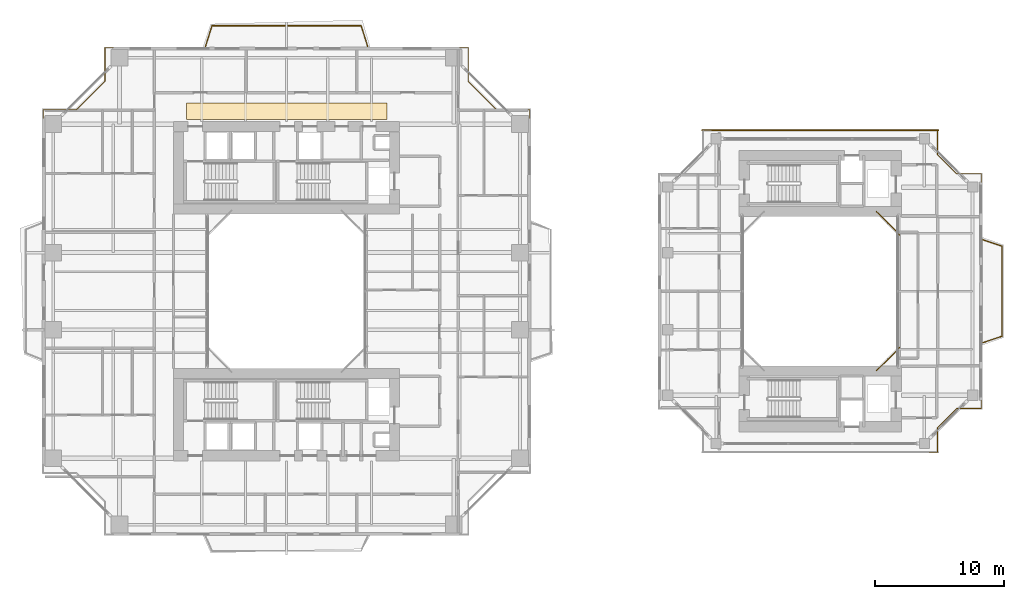
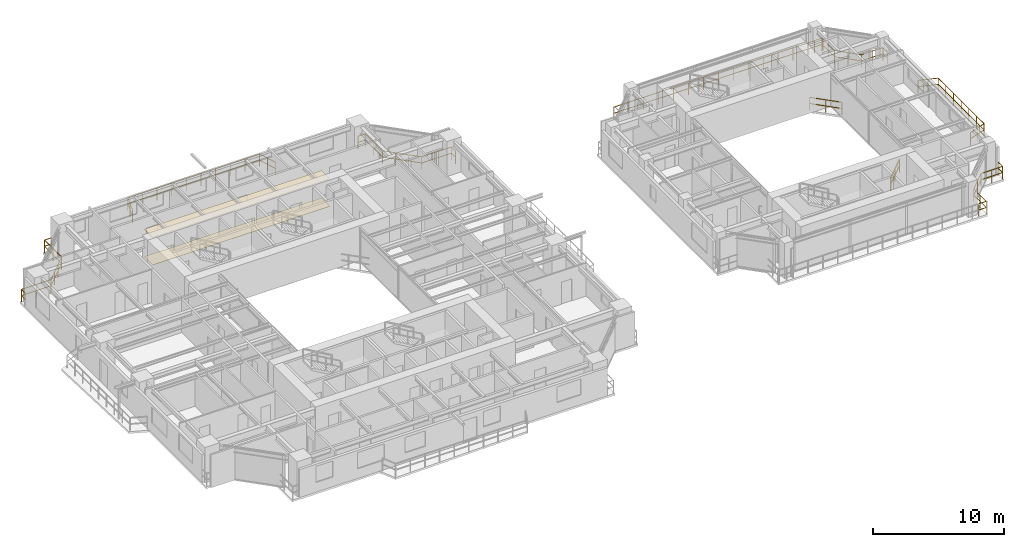
# One storey, part 23 of 23: 9 railings, 2 coverings.
"""IFC4 building model written with IfcOpenShell, lengths in metres."""

from ifc_helpers import new_model, si_unit, direction, frame, origin, origin_2d, place, context, subcontext, project, spatial, polyline, rectangle, outline, extrude, material, layer, layer_set, type_object, element, save


model = new_model("IFC4")

# Units and contexts
model_context = context("Model", 3, precision=1e-05, world=origin(), true_north=direction((0.0, 1.0)))
body_context = subcontext(model_context, "Body", "Model", "MODEL_VIEW")
ifc_project = project(units=[si_unit("LENGTHUNIT", "METRE"), si_unit("AREAUNIT", "SQUARE_METRE"), si_unit("VOLUMEUNIT", "CUBIC_METRE"), si_unit("PLANEANGLEUNIT", "RADIAN"), si_unit("MASSUNIT", "GRAM", prefix="KILO"), si_unit("THERMODYNAMICTEMPERATUREUNIT", "KELVIN"), si_unit("POWERUNIT", "WATT")], contexts=[model_context])

# Site, building, storey
site_placement = place(None, origin())
site = spatial("IfcSite", under=ifc_project, at=site_placement, CompositionType="ELEMENT")
building_placement = place(site_placement, origin())
building = spatial("IfcBuilding", under=site, at=building_placement, Name="Qiaomeng Ring Towers", CompositionType="ELEMENT")
storey_placement = place(building_placement, frame((0.0, 0.0, 86.0)))
storey = spatial("IfcBuildingStorey", under=building, at=storey_placement, Name="L24", CompositionType="ELEMENT", Elevation=86.0)

# Coverings
ifc_material_1 = material(Name="Mineral fibre acoustic ceiling tile", Category="gypsum")
ifc_layer_1 = layer(ifc_material_1, 0.02490234375, Name="Mineral fibre acoustic ceiling tile")
ifc_layer_set_1 = layer_set([ifc_layer_1], Name="Mineral fibre acoustic ceiling tile")
covering_type_1 = type_object("IfcCoveringType", Name="ARC-COV-CEIL1", PredefinedType="CEILING", material=ifc_layer_set_1)
covering_1_placement = place(storey_placement, frame((0.0, 0.0, 2.550048828125)))
element("IfcCovering", 1, at=covering_1_placement, inside=storey, type_object=covering_type_1, Name="L24 Corridor Acoustic Ceiling", PredefinedType="CEILING", context=body_context, shape_type="SweptSolid", body=[
    extrude(outline(polyline([(11.199951171875, 36.35009765625), (11.199951171875, 37.64990234375), (26.800048828125, 37.64990234375), (26.800048828125, 36.35009765625), (11.199951171875, 36.35009765625)])), origin(), (0.0, 0.0, 1.0), 0.02490234375),
])
ifc_material_2 = material(Name="Vitrified porcelain floor tile", Category="ceramic")
ifc_layer_2 = layer(ifc_material_2, 0.02001953125, Name="Vitrified porcelain floor tile")
ifc_layer_set_2 = layer_set([ifc_layer_2], Name="Vitrified porcelain floor tile")
covering_type_2 = type_object("IfcCoveringType", Name="ARC-COV-FLR1", PredefinedType="FLOORING", material=ifc_layer_set_2)
covering_2_placement = place(storey_placement, origin())
element("IfcCovering", 2, at=covering_2_placement, inside=storey, type_object=covering_type_2, Name="L24 Corridor Stone Flooring", PredefinedType="FLOORING", context=body_context, shape_type="SweptSolid", body=[
    extrude(outline(polyline([(11.199951171875, 36.35009765625), (11.199951171875, 37.64990234375), (26.800048828125, 37.64990234375), (26.800048828125, 36.35009765625), (11.199951171875, 36.35009765625)])), origin(), (0.0, 0.0, 1.0), 0.02001953125),
])

# Railings
ifc_material_3 = material(Name="Low-E pale-green laminated safety glass", Category="glass")
railing_type = type_object("IfcRailingType", Name="ARC-RL-BAL1", PredefinedType="BALUSTRADE", material=ifc_material_3)
railing_1_placement = place(storey_placement, frame((37.919921875, 36.469970703125, 0.0)))
element("IfcRailing", 3, at=railing_1_placement, inside=storey, type_object=railing_type, Name="L24 Balustrade ARC-BAL-NOTCH1-L24-NE", PredefinedType="BALUSTRADE", context=body_context, shape_type="SweptSolid", body=[
    extrude(rectangle(XDim=0.048095703125, YDim=0.048095703125, at=origin_2d()), frame((0.0, 0.0, 1.17578125), z_axis=(0.0, 1.0, 0.0), x_axis=(-1.0, 0.0, 0.0)), (0.0, 0.0, 1.0), 0.650146484375),
    extrude(rectangle(XDim=0.048095703125, YDim=0.048095703125, at=origin_2d()), frame((0.0, 0.0, 0.60009765625), z_axis=(0.0, 1.0, 0.0), x_axis=(-1.0, 0.0, 0.0)), (0.0, 0.0, 1.0), 0.650146484375),
    extrude(rectangle(XDim=0.048095703125, YDim=0.048095703125, at=origin_2d()), frame((0.0, 0.650146484375, 1.17578125), z_axis=(-1.0, 0.0, 0.0), x_axis=(0.0, -1.0, 0.0)), (0.0, 0.0, 1.0), 2.599853515625),
    extrude(rectangle(XDim=0.048095703125, YDim=0.048095703125, at=origin_2d()), frame((0.0, 0.650146484375, 0.60009765625), z_axis=(-1.0, 0.0, 0.0), x_axis=(0.0, -1.0, 0.0)), (0.0, 0.0, 1.0), 2.599853515625),
    extrude(rectangle(XDim=0.048095703125, YDim=0.048095703125, at=origin_2d()), frame((-2.599853515625, 0.650146484375, 1.17578125), z_axis=(-0.707106781187, 0.707106781187, 0.0), x_axis=(-0.707106781187, -0.707106781187, 0.0)), (0.0, 0.0, 1.0), 3.111083984375),
    extrude(rectangle(XDim=0.048095703125, YDim=0.048095703125, at=origin_2d()), frame((-2.599853515625, 0.650146484375, 0.60009765625), z_axis=(-0.707106781187, 0.707106781187, 0.0), x_axis=(-0.707106781187, -0.707106781187, 0.0)), (0.0, 0.0, 1.0), 3.111083984375),
    extrude(rectangle(XDim=0.048095703125, YDim=0.048095703125, at=origin_2d()), frame((-4.7998046875, 2.85009765625, 1.17578125), z_axis=(0.0, 1.0, 0.0), x_axis=(-1.0, 0.0, 0.0)), (0.0, 0.0, 1.0), 2.599853515625),
    extrude(rectangle(XDim=0.048095703125, YDim=0.048095703125, at=origin_2d()), frame((-4.7998046875, 2.85009765625, 0.60009765625), z_axis=(0.0, 1.0, 0.0), x_axis=(-1.0, 0.0, 0.0)), (0.0, 0.0, 1.0), 2.599853515625),
    extrude(rectangle(XDim=0.048095703125, YDim=0.048095703125, at=origin_2d()), frame((-4.7998046875, 5.449951171875, 1.17578125), z_axis=(-1.0, 0.0, 0.0), x_axis=(0.0, -1.0, 0.0)), (0.0, 0.0, 1.0), 0.650146484375),
    extrude(rectangle(XDim=0.048095703125, YDim=0.048095703125, at=origin_2d()), frame((-4.7998046875, 5.449951171875, 0.60009765625), z_axis=(-1.0, 0.0, 0.0), x_axis=(0.0, -1.0, 0.0)), (0.0, 0.0, 1.0), 0.650146484375),
    extrude(rectangle(XDim=0.0419921875, YDim=0.0419921875, at=origin_2d()), origin(), (0.0, 0.0, 1.0), 1.15185546875),
    extrude(rectangle(XDim=0.0419921875, YDim=0.0419921875, at=origin_2d()), frame((0.0, 0.650146484375, 0.0)), (0.0, 0.0, 1.0), 1.15185546875),
    extrude(rectangle(XDim=0.0419921875, YDim=0.0419921875, at=origin_2d()), frame((-1.2998046875, 0.650146484375, 0.0)), (0.0, 0.0, 1.0), 1.15185546875),
    extrude(rectangle(XDim=0.0419921875, YDim=0.0419921875, at=origin_2d()), frame((-2.599853515625, 0.650146484375, 0.0)), (0.0, 0.0, 1.0), 1.15185546875),
    extrude(rectangle(XDim=0.0419921875, YDim=0.0419921875, at=origin_2d()), frame((-3.333251953125, 1.383544921875, 0.0)), (0.0, 0.0, 1.0), 1.15185546875),
    extrude(rectangle(XDim=0.0419921875, YDim=0.0419921875, at=origin_2d()), frame((-4.06640625, 2.11669921875, 0.0)), (0.0, 0.0, 1.0), 1.15185546875),
    extrude(rectangle(XDim=0.0419921875, YDim=0.0419921875, at=origin_2d()), frame((-4.7998046875, 2.85009765625, 0.0)), (0.0, 0.0, 1.0), 1.15185546875),
    extrude(rectangle(XDim=0.0419921875, YDim=0.0419921875, at=origin_2d()), frame((-4.7998046875, 4.14990234375, 0.0)), (0.0, 0.0, 1.0), 1.15185546875),
    extrude(rectangle(XDim=0.0419921875, YDim=0.0419921875, at=origin_2d()), frame((-4.7998046875, 5.449951171875, 0.0)), (0.0, 0.0, 1.0), 1.15185546875),
    extrude(rectangle(XDim=0.0419921875, YDim=0.0419921875, at=origin_2d()), frame((-5.449951171875, 5.449951171875, 0.0)), (0.0, 0.0, 1.0), 1.15185546875),
])
railing_2_placement = place(storey_placement, frame((5.530029296875, 41.919921875, 0.0)))
element("IfcRailing", 4, at=railing_2_placement, inside=storey, type_object=railing_type, Name="L24 Balustrade ARC-BAL-NOTCH1-L24-NW", PredefinedType="BALUSTRADE", context=body_context, shape_type="SweptSolid", body=[
    extrude(rectangle(XDim=0.048095703125, YDim=0.048095703125, at=origin_2d()), frame((0.0, 0.0, 1.17578125), z_axis=(-1.0, 0.0, 0.0), x_axis=(0.0, -1.0, 0.0)), (0.0, 0.0, 1.0), 0.650146484375),
    extrude(rectangle(XDim=0.048095703125, YDim=0.048095703125, at=origin_2d()), frame((0.0, 0.0, 0.60009765625), z_axis=(-1.0, 0.0, 0.0), x_axis=(0.0, -1.0, 0.0)), (0.0, 0.0, 1.0), 0.650146484375),
    extrude(rectangle(XDim=0.048095703125, YDim=0.048095703125, at=origin_2d()), frame((-0.650146484375, 0.0, 1.17578125), z_axis=(0.0, -1.0, 0.0), x_axis=(1.0, 0.0, 0.0)), (0.0, 0.0, 1.0), 2.599853515625),
    extrude(rectangle(XDim=0.048095703125, YDim=0.048095703125, at=origin_2d()), frame((-0.650146484375, 0.0, 0.60009765625), z_axis=(0.0, -1.0, 0.0), x_axis=(1.0, 0.0, 0.0)), (0.0, 0.0, 1.0), 2.599853515625),
    extrude(rectangle(XDim=0.048095703125, YDim=0.048095703125, at=origin_2d()), frame((-0.650146484375, -2.599853515625, 1.17578125), z_axis=(-0.707106781187, -0.707106781187, 0.0), x_axis=(0.707106781187, -0.707106781187, 0.0)), (0.0, 0.0, 1.0), 3.111083984375),
    extrude(rectangle(XDim=0.048095703125, YDim=0.048095703125, at=origin_2d()), frame((-0.650146484375, -2.599853515625, 0.60009765625), z_axis=(-0.707106781187, -0.707106781187, 0.0), x_axis=(0.707106781187, -0.707106781187, 0.0)), (0.0, 0.0, 1.0), 3.111083984375),
    extrude(rectangle(XDim=0.048095703125, YDim=0.048095703125, at=origin_2d()), frame((-2.85009765625, -4.7998046875, 1.17578125), z_axis=(-1.0, 0.0, 0.0), x_axis=(0.0, -1.0, 0.0)), (0.0, 0.0, 1.0), 2.599853515625),
    extrude(rectangle(XDim=0.048095703125, YDim=0.048095703125, at=origin_2d()), frame((-2.85009765625, -4.7998046875, 0.60009765625), z_axis=(-1.0, 0.0, 0.0), x_axis=(0.0, -1.0, 0.0)), (0.0, 0.0, 1.0), 2.599853515625),
    extrude(rectangle(XDim=0.048095703125, YDim=0.048095703125, at=origin_2d()), frame((-5.449951171875, -4.7998046875, 1.17578125), z_axis=(0.0, -1.0, 0.0), x_axis=(1.0, 0.0, 0.0)), (0.0, 0.0, 1.0), 0.650146484375),
    extrude(rectangle(XDim=0.048095703125, YDim=0.048095703125, at=origin_2d()), frame((-5.449951171875, -4.7998046875, 0.60009765625), z_axis=(0.0, -1.0, 0.0), x_axis=(1.0, 0.0, 0.0)), (0.0, 0.0, 1.0), 0.650146484375),
    extrude(rectangle(XDim=0.0419921875, YDim=0.0419921875, at=origin_2d()), origin(), (0.0, 0.0, 1.0), 1.15185546875),
    extrude(rectangle(XDim=0.0419921875, YDim=0.0419921875, at=origin_2d()), frame((-0.650146484375, 0.0, 0.0)), (0.0, 0.0, 1.0), 1.15185546875),
    extrude(rectangle(XDim=0.0419921875, YDim=0.0419921875, at=origin_2d()), frame((-0.650146484375, -1.2998046875, 0.0)), (0.0, 0.0, 1.0), 1.15185546875),
    extrude(rectangle(XDim=0.0419921875, YDim=0.0419921875, at=origin_2d()), frame((-0.650146484375, -2.599853515625, 0.0)), (0.0, 0.0, 1.0), 1.15185546875),
    extrude(rectangle(XDim=0.0419921875, YDim=0.0419921875, at=origin_2d()), frame((-1.383544921875, -3.333251953125, 0.0)), (0.0, 0.0, 1.0), 1.15185546875),
    extrude(rectangle(XDim=0.0419921875, YDim=0.0419921875, at=origin_2d()), frame((-2.11669921875, -4.06640625, 0.0)), (0.0, 0.0, 1.0), 1.15185546875),
    extrude(rectangle(XDim=0.0419921875, YDim=0.0419921875, at=origin_2d()), frame((-2.85009765625, -4.7998046875, 0.0)), (0.0, 0.0, 1.0), 1.15185546875),
    extrude(rectangle(XDim=0.0419921875, YDim=0.0419921875, at=origin_2d()), frame((-4.14990234375, -4.7998046875, 0.0)), (0.0, 0.0, 1.0), 1.15185546875),
    extrude(rectangle(XDim=0.0419921875, YDim=0.0419921875, at=origin_2d()), frame((-5.449951171875, -4.7998046875, 0.0)), (0.0, 0.0, 1.0), 1.15185546875),
    extrude(rectangle(XDim=0.0419921875, YDim=0.0419921875, at=origin_2d()), frame((-5.449951171875, -5.449951171875, 0.0)), (0.0, 0.0, 1.0), 1.15185546875),
])
railing_3_placement = place(storey_placement, frame((12.699951171875, 42.050048828125, 0.0)))
element("IfcRailing", 5, at=railing_3_placement, inside=storey, type_object=railing_type, Name="L24 Balustrade ARC-BAL-L24-T1-N", PredefinedType="BALUSTRADE", context=body_context, shape_type="SweptSolid", body=[
    extrude(rectangle(XDim=0.048095703125, YDim=0.048095703125, at=origin_2d()), frame((0.0, 0.0, 1.17578125), z_axis=(0.300009430376, 0.95393623565, 0.0), x_axis=(-0.95393623565, 0.300009430376, 0.0)), (0.0, 0.0, 1.0), 1.66650390625),
    extrude(rectangle(XDim=0.048095703125, YDim=0.048095703125, at=origin_2d()), frame((0.0, 0.0, 0.60009765625), z_axis=(0.300009430376, 0.95393623565, 0.0), x_axis=(-0.95393623565, 0.300009430376, 0.0)), (0.0, 0.0, 1.0), 1.66650390625),
    extrude(rectangle(XDim=0.048095703125, YDim=0.048095703125, at=origin_2d()), frame((0.5, 1.58984375, 1.17578125), z_axis=(1.0, 0.0, 0.0), x_axis=(0.0, 1.0, 0.0)), (0.0, 0.0, 1.0), 11.60009765625),
    extrude(rectangle(XDim=0.048095703125, YDim=0.048095703125, at=origin_2d()), frame((0.5, 1.58984375, 0.60009765625), z_axis=(1.0, 0.0, 0.0), x_axis=(0.0, 1.0, 0.0)), (0.0, 0.0, 1.0), 11.60009765625),
    extrude(rectangle(XDim=0.048095703125, YDim=0.048095703125, at=origin_2d()), frame((12.10009765625, 1.58984375, 1.17578125), z_axis=(0.300009430376, -0.95393623565, 0.0), x_axis=(0.95393623565, 0.300009430376, 0.0)), (0.0, 0.0, 1.0), 1.66650390625),
    extrude(rectangle(XDim=0.048095703125, YDim=0.048095703125, at=origin_2d()), frame((12.10009765625, 1.58984375, 0.60009765625), z_axis=(0.300009430376, -0.95393623565, 0.0), x_axis=(0.95393623565, 0.300009430376, 0.0)), (0.0, 0.0, 1.0), 1.66650390625),
    extrude(rectangle(XDim=0.0419921875, YDim=0.0419921875, at=origin_2d()), origin(), (0.0, 0.0, 1.0), 1.15185546875),
    extrude(rectangle(XDim=0.0419921875, YDim=0.0419921875, at=origin_2d()), frame((0.25, 0.794921875, 0.0)), (0.0, 0.0, 1.0), 1.15185546875),
    extrude(rectangle(XDim=0.0419921875, YDim=0.0419921875, at=origin_2d()), frame((0.5, 1.58984375, 0.0)), (0.0, 0.0, 1.0), 1.15185546875),
    extrude(rectangle(XDim=0.0419921875, YDim=0.0419921875, at=origin_2d()), frame((1.788818359375, 1.58984375, 0.0)), (0.0, 0.0, 1.0), 1.15185546875),
    extrude(rectangle(XDim=0.0419921875, YDim=0.0419921875, at=origin_2d()), frame((3.077880859375, 1.58984375, 0.0)), (0.0, 0.0, 1.0), 1.15185546875),
    extrude(rectangle(XDim=0.0419921875, YDim=0.0419921875, at=origin_2d()), frame((4.36669921875, 1.58984375, 0.0)), (0.0, 0.0, 1.0), 1.15185546875),
    extrude(rectangle(XDim=0.0419921875, YDim=0.0419921875, at=origin_2d()), frame((5.655517578125, 1.58984375, 0.0)), (0.0, 0.0, 1.0), 1.15185546875),
    extrude(rectangle(XDim=0.0419921875, YDim=0.0419921875, at=origin_2d()), frame((6.944580078125, 1.58984375, 0.0)), (0.0, 0.0, 1.0), 1.15185546875),
    extrude(rectangle(XDim=0.0419921875, YDim=0.0419921875, at=origin_2d()), frame((8.2333984375, 1.58984375, 0.0)), (0.0, 0.0, 1.0), 1.15185546875),
    extrude(rectangle(XDim=0.0419921875, YDim=0.0419921875, at=origin_2d()), frame((9.522216796875, 1.58984375, 0.0)), (0.0, 0.0, 1.0), 1.15185546875),
    extrude(rectangle(XDim=0.0419921875, YDim=0.0419921875, at=origin_2d()), frame((10.811279296875, 1.58984375, 0.0)), (0.0, 0.0, 1.0), 1.15185546875),
    extrude(rectangle(XDim=0.0419921875, YDim=0.0419921875, at=origin_2d()), frame((12.10009765625, 1.58984375, 0.0)), (0.0, 0.0, 1.0), 1.15185546875),
    extrude(rectangle(XDim=0.0419921875, YDim=0.0419921875, at=origin_2d()), frame((12.35009765625, 0.794921875, 0.0)), (0.0, 0.0, 1.0), 1.15185546875),
    extrude(rectangle(XDim=0.0419921875, YDim=0.0419921875, at=origin_2d()), frame((12.60009765625, 0.0, 0.0)), (0.0, 0.0, 1.0), 1.15185546875),
])
railing_4_placement = place(storey_placement, frame((64.8798828125, 16.820068359375, 0.0)))
element("IfcRailing", 6, at=railing_4_placement, inside=storey, type_object=railing_type, Name="L24 Balustrade ARC-BAL-WELL2-L24-1", PredefinedType="BALUSTRADE", context=body_context, shape_type="SweptSolid", body=[
    extrude(rectangle(XDim=0.048095703125, YDim=0.048095703125, at=origin_2d()), frame((0.0, 0.0, 1.17578125), z_axis=(0.707106781187, 0.707106781187, 0.0), x_axis=(-0.707106781187, 0.707106781187, 0.0)), (0.0, 0.0, 1.0), 2.545654296875),
    extrude(rectangle(XDim=0.048095703125, YDim=0.048095703125, at=origin_2d()), frame((0.0, 0.0, 0.60009765625), z_axis=(0.707106781187, 0.707106781187, 0.0), x_axis=(-0.707106781187, 0.707106781187, 0.0)), (0.0, 0.0, 1.0), 2.545654296875),
    extrude(rectangle(XDim=0.0419921875, YDim=0.0419921875, at=origin_2d()), origin(), (0.0, 0.0, 1.0), 1.15185546875),
    extrude(rectangle(XDim=0.0419921875, YDim=0.0419921875, at=origin_2d()), frame((0.89990234375, 0.89990234375, 0.0)), (0.0, 0.0, 1.0), 1.15185546875),
    extrude(rectangle(XDim=0.0419921875, YDim=0.0419921875, at=origin_2d()), frame((1.800048828125, 1.800048828125, 0.0)), (0.0, 0.0, 1.0), 1.15185546875),
])
railing_5_placement = place(storey_placement, frame((66.679931640625, 27.3798828125, 0.0)))
element("IfcRailing", 7, at=railing_5_placement, inside=storey, type_object=railing_type, Name="L24 Balustrade ARC-BAL-WELL2-L24-2", PredefinedType="BALUSTRADE", context=body_context, shape_type="SweptSolid", body=[
    extrude(rectangle(XDim=0.048095703125, YDim=0.048095703125, at=origin_2d()), frame((0.0, 0.0, 1.17578125), z_axis=(-0.707106781187, 0.707106781187, 0.0), x_axis=(-0.707106781187, -0.707106781187, 0.0)), (0.0, 0.0, 1.0), 2.545654296875),
    extrude(rectangle(XDim=0.048095703125, YDim=0.048095703125, at=origin_2d()), frame((0.0, 0.0, 0.60009765625), z_axis=(-0.707106781187, 0.707106781187, 0.0), x_axis=(-0.707106781187, -0.707106781187, 0.0)), (0.0, 0.0, 1.0), 2.545654296875),
    extrude(rectangle(XDim=0.0419921875, YDim=0.0419921875, at=origin_2d()), origin(), (0.0, 0.0, 1.0), 1.15185546875),
    extrude(rectangle(XDim=0.0419921875, YDim=0.0419921875, at=origin_2d()), frame((-0.89990234375, 0.89990234375, 0.0)), (0.0, 0.0, 1.0), 1.15185546875),
    extrude(rectangle(XDim=0.0419921875, YDim=0.0419921875, at=origin_2d()), frame((-1.800048828125, 1.800048828125, 0.0)), (0.0, 0.0, 1.0), 1.15185546875),
])
railing_6_placement = place(storey_placement, frame((68.969970703125, 10.47998046875, 0.0)))
element("IfcRailing", 8, at=railing_6_placement, inside=storey, type_object=railing_type, Name="L24 Balustrade ARC-BAL-NOTCH2-L24-SE", PredefinedType="BALUSTRADE", context=body_context, shape_type="SweptSolid", body=[
    extrude(rectangle(XDim=0.048095703125, YDim=0.048095703125, at=origin_2d()), frame((0.0, 0.0, 1.17578125), z_axis=(1.0, 0.0, 0.0), x_axis=(0.0, 1.0, 0.0)), (0.0, 0.0, 1.0), 0.650146484375),
    extrude(rectangle(XDim=0.048095703125, YDim=0.048095703125, at=origin_2d()), frame((0.0, 0.0, 0.60009765625), z_axis=(1.0, 0.0, 0.0), x_axis=(0.0, 1.0, 0.0)), (0.0, 0.0, 1.0), 0.650146484375),
    extrude(rectangle(XDim=0.048095703125, YDim=0.048095703125, at=origin_2d()), frame((0.650146484375, 0.0, 1.17578125), z_axis=(0.0, 1.0, 0.0), x_axis=(-1.0, 0.0, 0.0)), (0.0, 0.0, 1.0), 1.89990234375),
    extrude(rectangle(XDim=0.048095703125, YDim=0.048095703125, at=origin_2d()), frame((0.650146484375, 0.0, 0.60009765625), z_axis=(0.0, 1.0, 0.0), x_axis=(-1.0, 0.0, 0.0)), (0.0, 0.0, 1.0), 1.89990234375),
    extrude(rectangle(XDim=0.048095703125, YDim=0.048095703125, at=origin_2d()), frame((0.650146484375, 1.89990234375, 1.17578125), z_axis=(0.707106781187, 0.707106781187, 0.0), x_axis=(-0.707106781187, 0.707106781187, 0.0)), (0.0, 0.0, 1.0), 2.121337890625),
    extrude(rectangle(XDim=0.048095703125, YDim=0.048095703125, at=origin_2d()), frame((0.650146484375, 1.89990234375, 0.60009765625), z_axis=(0.707106781187, 0.707106781187, 0.0), x_axis=(-0.707106781187, 0.707106781187, 0.0)), (0.0, 0.0, 1.0), 2.121337890625),
    extrude(rectangle(XDim=0.048095703125, YDim=0.048095703125, at=origin_2d()), frame((2.150146484375, 3.39990234375, 1.17578125), z_axis=(1.0, 0.0, 0.0), x_axis=(0.0, 1.0, 0.0)), (0.0, 0.0, 1.0), 1.89990234375),
    extrude(rectangle(XDim=0.048095703125, YDim=0.048095703125, at=origin_2d()), frame((2.150146484375, 3.39990234375, 0.60009765625), z_axis=(1.0, 0.0, 0.0), x_axis=(0.0, 1.0, 0.0)), (0.0, 0.0, 1.0), 1.89990234375),
    extrude(rectangle(XDim=0.048095703125, YDim=0.048095703125, at=origin_2d()), frame((4.050048828125, 3.39990234375, 1.17578125), z_axis=(0.0, 1.0, 0.0), x_axis=(-1.0, 0.0, 0.0)), (0.0, 0.0, 1.0), 0.650146484375),
    extrude(rectangle(XDim=0.048095703125, YDim=0.048095703125, at=origin_2d()), frame((4.050048828125, 3.39990234375, 0.60009765625), z_axis=(0.0, 1.0, 0.0), x_axis=(-1.0, 0.0, 0.0)), (0.0, 0.0, 1.0), 0.650146484375),
    extrude(rectangle(XDim=0.0419921875, YDim=0.0419921875, at=origin_2d()), origin(), (0.0, 0.0, 1.0), 1.15185546875),
    extrude(rectangle(XDim=0.0419921875, YDim=0.0419921875, at=origin_2d()), frame((0.650146484375, 0.0, 0.0)), (0.0, 0.0, 1.0), 1.15185546875),
    extrude(rectangle(XDim=0.0419921875, YDim=0.0419921875, at=origin_2d()), frame((0.650146484375, 0.949951171875, 0.0)), (0.0, 0.0, 1.0), 1.15185546875),
    extrude(rectangle(XDim=0.0419921875, YDim=0.0419921875, at=origin_2d()), frame((0.650146484375, 1.89990234375, 0.0)), (0.0, 0.0, 1.0), 1.15185546875),
    extrude(rectangle(XDim=0.0419921875, YDim=0.0419921875, at=origin_2d()), frame((1.400146484375, 2.64990234375, 0.0)), (0.0, 0.0, 1.0), 1.15185546875),
    extrude(rectangle(XDim=0.0419921875, YDim=0.0419921875, at=origin_2d()), frame((2.150146484375, 3.39990234375, 0.0)), (0.0, 0.0, 1.0), 1.15185546875),
    extrude(rectangle(XDim=0.0419921875, YDim=0.0419921875, at=origin_2d()), frame((3.10009765625, 3.39990234375, 0.0)), (0.0, 0.0, 1.0), 1.15185546875),
    extrude(rectangle(XDim=0.0419921875, YDim=0.0419921875, at=origin_2d()), frame((4.050048828125, 3.39990234375, 0.0)), (0.0, 0.0, 1.0), 1.15185546875),
    extrude(rectangle(XDim=0.0419921875, YDim=0.0419921875, at=origin_2d()), frame((4.050048828125, 4.050048828125, 0.0)), (0.0, 0.0, 1.0), 1.15185546875),
])
railing_7_placement = place(storey_placement, frame((73.02001953125, 31.469970703125, 0.0)))
element("IfcRailing", 9, at=railing_7_placement, inside=storey, type_object=railing_type, Name="L24 Balustrade ARC-BAL-NOTCH2-L24-NE", PredefinedType="BALUSTRADE", context=body_context, shape_type="SweptSolid", body=[
    extrude(rectangle(XDim=0.048095703125, YDim=0.048095703125, at=origin_2d()), frame((0.0, 0.0, 1.17578125), z_axis=(0.0, 1.0, 0.0), x_axis=(-1.0, 0.0, 0.0)), (0.0, 0.0, 1.0), 0.650146484375),
    extrude(rectangle(XDim=0.048095703125, YDim=0.048095703125, at=origin_2d()), frame((0.0, 0.0, 0.60009765625), z_axis=(0.0, 1.0, 0.0), x_axis=(-1.0, 0.0, 0.0)), (0.0, 0.0, 1.0), 0.650146484375),
    extrude(rectangle(XDim=0.048095703125, YDim=0.048095703125, at=origin_2d()), frame((0.0, 0.650146484375, 1.17578125), z_axis=(-1.0, 0.0, 0.0), x_axis=(0.0, -1.0, 0.0)), (0.0, 0.0, 1.0), 1.89990234375),
    extrude(rectangle(XDim=0.048095703125, YDim=0.048095703125, at=origin_2d()), frame((0.0, 0.650146484375, 0.60009765625), z_axis=(-1.0, 0.0, 0.0), x_axis=(0.0, -1.0, 0.0)), (0.0, 0.0, 1.0), 1.89990234375),
    extrude(rectangle(XDim=0.048095703125, YDim=0.048095703125, at=origin_2d()), frame((-1.89990234375, 0.650146484375, 1.17578125), z_axis=(-0.707106781187, 0.707106781187, 0.0), x_axis=(-0.707106781187, -0.707106781187, 0.0)), (0.0, 0.0, 1.0), 2.121337890625),
    extrude(rectangle(XDim=0.048095703125, YDim=0.048095703125, at=origin_2d()), frame((-1.89990234375, 0.650146484375, 0.60009765625), z_axis=(-0.707106781187, 0.707106781187, 0.0), x_axis=(-0.707106781187, -0.707106781187, 0.0)), (0.0, 0.0, 1.0), 2.121337890625),
    extrude(rectangle(XDim=0.048095703125, YDim=0.048095703125, at=origin_2d()), frame((-3.39990234375, 2.150146484375, 1.17578125), z_axis=(0.0, 1.0, 0.0), x_axis=(-1.0, 0.0, 0.0)), (0.0, 0.0, 1.0), 1.89990234375),
    extrude(rectangle(XDim=0.048095703125, YDim=0.048095703125, at=origin_2d()), frame((-3.39990234375, 2.150146484375, 0.60009765625), z_axis=(0.0, 1.0, 0.0), x_axis=(-1.0, 0.0, 0.0)), (0.0, 0.0, 1.0), 1.89990234375),
    extrude(rectangle(XDim=0.048095703125, YDim=0.048095703125, at=origin_2d()), frame((-3.39990234375, 4.050048828125, 1.17578125), z_axis=(-1.0, 0.0, 0.0), x_axis=(0.0, -1.0, 0.0)), (0.0, 0.0, 1.0), 0.650146484375),
    extrude(rectangle(XDim=0.048095703125, YDim=0.048095703125, at=origin_2d()), frame((-3.39990234375, 4.050048828125, 0.60009765625), z_axis=(-1.0, 0.0, 0.0), x_axis=(0.0, -1.0, 0.0)), (0.0, 0.0, 1.0), 0.650146484375),
    extrude(rectangle(XDim=0.0419921875, YDim=0.0419921875, at=origin_2d()), origin(), (0.0, 0.0, 1.0), 1.15185546875),
    extrude(rectangle(XDim=0.0419921875, YDim=0.0419921875, at=origin_2d()), frame((0.0, 0.650146484375, 0.0)), (0.0, 0.0, 1.0), 1.15185546875),
    extrude(rectangle(XDim=0.0419921875, YDim=0.0419921875, at=origin_2d()), frame((-0.949951171875, 0.650146484375, 0.0)), (0.0, 0.0, 1.0), 1.15185546875),
    extrude(rectangle(XDim=0.0419921875, YDim=0.0419921875, at=origin_2d()), frame((-1.89990234375, 0.650146484375, 0.0)), (0.0, 0.0, 1.0), 1.15185546875),
    extrude(rectangle(XDim=0.0419921875, YDim=0.0419921875, at=origin_2d()), frame((-2.64990234375, 1.400146484375, 0.0)), (0.0, 0.0, 1.0), 1.15185546875),
    extrude(rectangle(XDim=0.0419921875, YDim=0.0419921875, at=origin_2d()), frame((-3.39990234375, 2.150146484375, 0.0)), (0.0, 0.0, 1.0), 1.15185546875),
    extrude(rectangle(XDim=0.0419921875, YDim=0.0419921875, at=origin_2d()), frame((-3.39990234375, 3.10009765625, 0.0)), (0.0, 0.0, 1.0), 1.15185546875),
    extrude(rectangle(XDim=0.0419921875, YDim=0.0419921875, at=origin_2d()), frame((-3.39990234375, 4.050048828125, 0.0)), (0.0, 0.0, 1.0), 1.15185546875),
    extrude(rectangle(XDim=0.0419921875, YDim=0.0419921875, at=origin_2d()), frame((-4.050048828125, 4.050048828125, 0.0)), (0.0, 0.0, 1.0), 1.15185546875),
])
railing_8_placement = place(storey_placement, frame((51.300048828125, 35.52001953125, 0.0)))
element("IfcRailing", 10, at=railing_8_placement, inside=storey, type_object=railing_type, Name="L24 Balustrade ARC-BAL-T2N-L24", PredefinedType="BALUSTRADE", context=body_context, shape_type="SweptSolid", body=[
    extrude(rectangle(XDim=0.048095703125, YDim=0.048095703125, at=origin_2d()), frame((0.0, 0.0, 1.17578125), z_axis=(1.0, 0.0, 0.0), x_axis=(0.0, 1.0, 0.0)), (0.0, 0.0, 1.0), 18.39990234375),
    extrude(rectangle(XDim=0.048095703125, YDim=0.048095703125, at=origin_2d()), frame((0.0, 0.0, 0.60009765625), z_axis=(1.0, 0.0, 0.0), x_axis=(0.0, 1.0, 0.0)), (0.0, 0.0, 1.0), 18.39990234375),
    extrude(rectangle(XDim=0.0419921875, YDim=0.0419921875, at=origin_2d()), origin(), (0.0, 0.0, 1.0), 1.15185546875),
    extrude(rectangle(XDim=0.0419921875, YDim=0.0419921875, at=origin_2d()), frame((1.314208984375, 0.0, 0.0)), (0.0, 0.0, 1.0), 1.15185546875),
    extrude(rectangle(XDim=0.0419921875, YDim=0.0419921875, at=origin_2d()), frame((2.628662109375, 0.0, 0.0)), (0.0, 0.0, 1.0), 1.15185546875),
    extrude(rectangle(XDim=0.0419921875, YDim=0.0419921875, at=origin_2d()), frame((3.94287109375, 0.0, 0.0)), (0.0, 0.0, 1.0), 1.15185546875),
    extrude(rectangle(XDim=0.0419921875, YDim=0.0419921875, at=origin_2d()), frame((5.257080078125, 0.0, 0.0)), (0.0, 0.0, 1.0), 1.15185546875),
    extrude(rectangle(XDim=0.0419921875, YDim=0.0419921875, at=origin_2d()), frame((6.5712890625, 0.0, 0.0)), (0.0, 0.0, 1.0), 1.15185546875),
    extrude(rectangle(XDim=0.0419921875, YDim=0.0419921875, at=origin_2d()), frame((7.8857421875, 0.0, 0.0)), (0.0, 0.0, 1.0), 1.15185546875),
    extrude(rectangle(XDim=0.0419921875, YDim=0.0419921875, at=origin_2d()), frame((9.199951171875, 0.0, 0.0)), (0.0, 0.0, 1.0), 1.15185546875),
    extrude(rectangle(XDim=0.0419921875, YDim=0.0419921875, at=origin_2d()), frame((10.51416015625, 0.0, 0.0)), (0.0, 0.0, 1.0), 1.15185546875),
    extrude(rectangle(XDim=0.0419921875, YDim=0.0419921875, at=origin_2d()), frame((11.82861328125, 0.0, 0.0)), (0.0, 0.0, 1.0), 1.15185546875),
    extrude(rectangle(XDim=0.0419921875, YDim=0.0419921875, at=origin_2d()), frame((13.142822265625, 0.0, 0.0)), (0.0, 0.0, 1.0), 1.15185546875),
    extrude(rectangle(XDim=0.0419921875, YDim=0.0419921875, at=origin_2d()), frame((14.45703125, 0.0, 0.0)), (0.0, 0.0, 1.0), 1.15185546875),
    extrude(rectangle(XDim=0.0419921875, YDim=0.0419921875, at=origin_2d()), frame((15.771240234375, 0.0, 0.0)), (0.0, 0.0, 1.0), 1.15185546875),
    extrude(rectangle(XDim=0.0419921875, YDim=0.0419921875, at=origin_2d()), frame((17.085693359375, 0.0, 0.0)), (0.0, 0.0, 1.0), 1.15185546875),
    extrude(rectangle(XDim=0.0419921875, YDim=0.0419921875, at=origin_2d()), frame((18.39990234375, 0.0, 0.0)), (0.0, 0.0, 1.0), 1.15185546875),
])
railing_9_placement = place(storey_placement, frame((73.14990234375, 19.0, 0.0)))
element("IfcRailing", 11, at=railing_9_placement, inside=storey, type_object=railing_type, Name="L24 Balustrade ARC-BAL-L24-T2-E", PredefinedType="BALUSTRADE", context=body_context, shape_type="SweptSolid", body=[
    extrude(rectangle(XDim=0.048095703125, YDim=0.048095703125, at=origin_2d()), frame((0.0, 0.0, 1.17578125), z_axis=(0.948044476945, 0.318137815629, 0.0), x_axis=(-0.318137815629, 0.948044476945, 0.0)), (0.0, 0.0, 1.0), 1.571533203125),
    extrude(rectangle(XDim=0.048095703125, YDim=0.048095703125, at=origin_2d()), frame((0.0, 0.0, 0.60009765625), z_axis=(0.948044476945, 0.318137815629, 0.0), x_axis=(-0.318137815629, 0.948044476945, 0.0)), (0.0, 0.0, 1.0), 1.571533203125),
    extrude(rectangle(XDim=0.048095703125, YDim=0.048095703125, at=origin_2d()), frame((1.489990234375, 0.5, 1.17578125), z_axis=(0.0, 1.0, 0.0), x_axis=(-1.0, 0.0, 0.0)), (0.0, 0.0, 1.0), 7.0),
    extrude(rectangle(XDim=0.048095703125, YDim=0.048095703125, at=origin_2d()), frame((1.489990234375, 0.5, 0.60009765625), z_axis=(0.0, 1.0, 0.0), x_axis=(-1.0, 0.0, 0.0)), (0.0, 0.0, 1.0), 7.0),
    extrude(rectangle(XDim=0.048095703125, YDim=0.048095703125, at=origin_2d()), frame((1.489990234375, 7.5, 1.17578125), z_axis=(-0.948044476945, 0.318137815629, 0.0), x_axis=(-0.318137815629, -0.948044476945, 0.0)), (0.0, 0.0, 1.0), 1.571533203125),
    extrude(rectangle(XDim=0.048095703125, YDim=0.048095703125, at=origin_2d()), frame((1.489990234375, 7.5, 0.60009765625), z_axis=(-0.948044476945, 0.318137815629, 0.0), x_axis=(-0.318137815629, -0.948044476945, 0.0)), (0.0, 0.0, 1.0), 1.571533203125),
    extrude(rectangle(XDim=0.0419921875, YDim=0.0419921875, at=origin_2d()), origin(), (0.0, 0.0, 1.0), 1.15185546875),
    extrude(rectangle(XDim=0.0419921875, YDim=0.0419921875, at=origin_2d()), frame((0.7451171875, 0.25, 0.0)), (0.0, 0.0, 1.0), 1.15185546875),
    extrude(rectangle(XDim=0.0419921875, YDim=0.0419921875, at=origin_2d()), frame((1.489990234375, 0.5, 0.0)), (0.0, 0.0, 1.0), 1.15185546875),
    extrude(rectangle(XDim=0.0419921875, YDim=0.0419921875, at=origin_2d()), frame((1.489990234375, 1.666748046875, 0.0)), (0.0, 0.0, 1.0), 1.15185546875),
    extrude(rectangle(XDim=0.0419921875, YDim=0.0419921875, at=origin_2d()), frame((1.489990234375, 2.833251953125, 0.0)), (0.0, 0.0, 1.0), 1.15185546875),
    extrude(rectangle(XDim=0.0419921875, YDim=0.0419921875, at=origin_2d()), frame((1.489990234375, 4.0, 0.0)), (0.0, 0.0, 1.0), 1.15185546875),
    extrude(rectangle(XDim=0.0419921875, YDim=0.0419921875, at=origin_2d()), frame((1.489990234375, 5.166748046875, 0.0)), (0.0, 0.0, 1.0), 1.15185546875),
    extrude(rectangle(XDim=0.0419921875, YDim=0.0419921875, at=origin_2d()), frame((1.489990234375, 6.333251953125, 0.0)), (0.0, 0.0, 1.0), 1.15185546875),
    extrude(rectangle(XDim=0.0419921875, YDim=0.0419921875, at=origin_2d()), frame((1.489990234375, 7.5, 0.0)), (0.0, 0.0, 1.0), 1.15185546875),
    extrude(rectangle(XDim=0.0419921875, YDim=0.0419921875, at=origin_2d()), frame((0.7451171875, 7.75, 0.0)), (0.0, 0.0, 1.0), 1.15185546875),
    extrude(rectangle(XDim=0.0419921875, YDim=0.0419921875, at=origin_2d()), frame((0.0, 8.0, 0.0)), (0.0, 0.0, 1.0), 1.15185546875),
])

save(model, "model.ifc")
